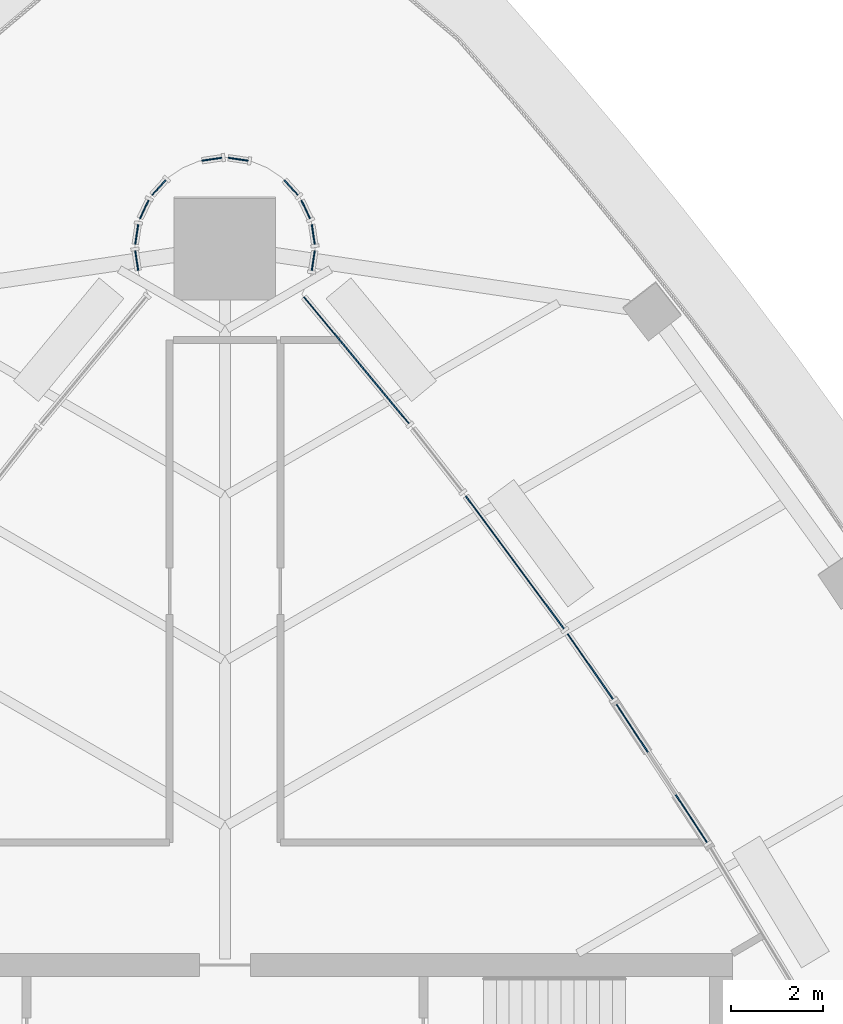
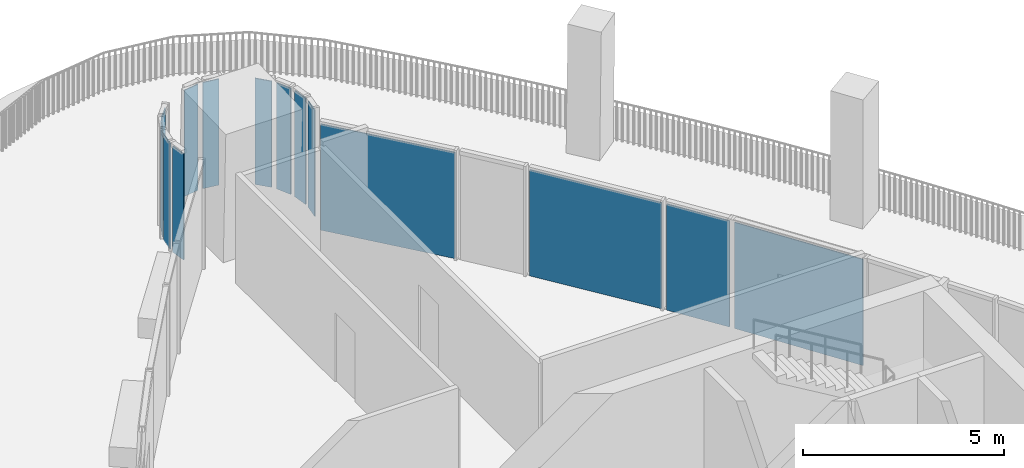
# One storey, part 9 of 18: 14 plates, 14 elements without a shape of their own.
"""IFC4 building model written with IfcOpenShell, lengths in metres."""

from ifc_helpers import new_model, si_unit, direction, frame, origin, origin_2d, place, context, subcontext, project, spatial, rectangle, extrude, material, layer, layer_set, type_object, element, aggregate, save


model = new_model("IFC4")

# Units and contexts
model_context = context("Model", 3, precision=1e-05, world=origin(), true_north=direction((0.0, 1.0)))
body_context = subcontext(model_context, "Body", "Model", "MODEL_VIEW")
ifc_project = project(units=[si_unit("LENGTHUNIT", "METRE"), si_unit("AREAUNIT", "SQUARE_METRE"), si_unit("VOLUMEUNIT", "CUBIC_METRE"), si_unit("PLANEANGLEUNIT", "RADIAN"), si_unit("MASSUNIT", "GRAM", prefix="KILO")], contexts=[model_context])

# Site, building, storey
site_placement = place(None, origin())
site = spatial("IfcSite", under=ifc_project, at=site_placement, CompositionType="ELEMENT")
building_placement = place(site_placement, origin())
building = spatial("IfcBuilding", under=site, at=building_placement, Name="Sierra Prisma Convention Tower", CompositionType="ELEMENT")
storey_placement = place(building_placement, frame((0.0, 0.0, 307.0)))
storey = spatial("IfcBuildingStorey", under=building, at=storey_placement, Name="L70", CompositionType="ELEMENT", Elevation=307.0)

# Curtain wall, plate
ifc_material_1 = material(Name="Aluminium and glass curtain wall", Category="aluminium")
ifc_layer_1 = layer(ifc_material_1, 0.179931640625)
ifc_layer_set_1 = layer_set([ifc_layer_1], Name="CW-6 Terrace recess curtain wall")
curtain_wall_type = type_object("IfcCurtainWallType", Name="CW-6 Terrace recess curtain wall", PredefinedType="NOTDEFINED", material=ifc_layer_set_1)
curtain_wall_1_placement = place(storey_placement, origin())
curtain_wall_1 = element("IfcCurtainWall", 1, at=curtain_wall_1_placement, inside=storey, type_object=curtain_wall_type, Name="CW-6 R3 L70", PredefinedType="NOTDEFINED")
ifc_material_2 = material(Name="Tinted glass bronze-grey IGU", Category="glass")
ifc_layer_2 = layer(ifc_material_2, 0.028076171875)
ifc_layer_set_2 = layer_set([ifc_layer_2], Name="CW-6 glass panel")
plate_type = type_object("IfcPlateType", Name="CW-6 glass panel", PredefinedType="CURTAIN_PANEL", material=ifc_layer_set_2)
plate_1_placement = place(storey_placement, frame((9.468017578125, 11.899658203125, 0.0), z_axis=(0.0, 0.0, 1.0), x_axis=(-0.54806497653, 0.836435760535, 0.0)))
plate_1 = element("IfcPlate", 2, at=plate_1_placement, type_object=plate_type, Name="CW-6 panel R3.1", PredefinedType="CURTAIN_PANEL", context=body_context, shape_type="SweptSolid", body=[
    extrude(rectangle(XDim=3.57666015625, YDim=0.028076171875, at=origin_2d()), origin(), (0.0, 0.0, 1.0), 3.219970703125),
])
aggregate(curtain_wall_1, [plate_1])

curtain_wall_2_placement = place(storey_placement, origin())
curtain_wall_2 = element("IfcCurtainWall", 3, at=curtain_wall_2_placement, inside=storey, type_object=curtain_wall_type, Name="CW-6 R4 L70", PredefinedType="NOTDEFINED")
plate_2_placement = place(storey_placement, frame((7.91845703125, 14.216552734375, 0.0), z_axis=(0.0, 0.0, 1.0), x_axis=(-0.571452066166, 0.820635446514, 0.0)))
plate_2 = element("IfcPlate", 4, at=plate_2_placement, type_object=plate_type, Name="CW-6 panel R4.1", PredefinedType="CURTAIN_PANEL", context=body_context, shape_type="SweptSolid", body=[
    extrude(rectangle(XDim=1.718505859375, YDim=0.028076171875, at=origin_2d()), origin(), (0.0, 0.0, 1.0), 3.219970703125),
])
aggregate(curtain_wall_2, [plate_2])

curtain_wall_3_placement = place(storey_placement, origin())
curtain_wall_3 = element("IfcCurtainWall", 5, at=curtain_wall_3_placement, inside=storey, type_object=curtain_wall_type, Name="CW-6 R5 L70", PredefinedType="NOTDEFINED")
plate_3_placement = place(storey_placement, frame((6.282958984375, 16.473388671875, 0.0), z_axis=(0.0, 0.0, 1.0), x_axis=(-0.59438393371, 0.804181409477, 0.0)))
plate_3 = element("IfcPlate", 6, at=plate_3_placement, type_object=plate_type, Name="CW-6 panel R5.1", PredefinedType="CURTAIN_PANEL", context=body_context, shape_type="SweptSolid", body=[
    extrude(rectangle(XDim=3.57666015625, YDim=0.028076171875, at=origin_2d()), origin(), (0.0, 0.0, 1.0), 3.219970703125),
])
aggregate(curtain_wall_3, [plate_3])

curtain_wall_4_placement = place(storey_placement, origin())
curtain_wall_4 = element("IfcCurtainWall", 7, at=curtain_wall_4_placement, inside=storey, type_object=curtain_wall_type, Name="CW-6 R7 L70", PredefinedType="NOTDEFINED")
plate_4_placement = place(storey_placement, frame((2.84912109375, 20.85546875, 0.0), z_axis=(0.0, 0.0, 1.0), x_axis=(-0.63878406426, 0.76938606645, 0.0)))
plate_4 = element("IfcPlate", 8, at=plate_4_placement, type_object=plate_type, Name="CW-6 panel R7.1", PredefinedType="CURTAIN_PANEL", context=body_context, shape_type="SweptSolid", body=[
    extrude(rectangle(XDim=3.563720703125, YDim=0.028076171875, at=origin_2d()), origin(), (0.0, 0.0, 1.0), 3.219970703125),
])
aggregate(curtain_wall_4, [plate_4])

curtain_wall_5_placement = place(storey_placement, origin())
curtain_wall_5 = element("IfcCurtainWall", 9, at=curtain_wall_5_placement, inside=storey, type_object=curtain_wall_type, Name="CW-6 R9 L70", PredefinedType="NOTDEFINED")
plate_5_placement = place(storey_placement, frame((1.91357421875, 23.01611328125, 0.0), z_axis=(0.0, 0.0, 1.0), x_axis=(0.146730474455, 0.989176509965, 0.0)))
plate_5 = element("IfcPlate", 10, at=plate_5_placement, type_object=plate_type, Name="CW-6 panel R9.1", PredefinedType="CURTAIN_PANEL", context=body_context, shape_type="SweptSolid", body=[
    extrude(rectangle(XDim=0.433837890625, YDim=0.028076171875, at=origin_2d()), origin(), (0.0, 0.0, 1.0), 3.219970703125),
])
aggregate(curtain_wall_5, [plate_5])

curtain_wall_6_placement = place(storey_placement, origin())
curtain_wall_6 = element("IfcCurtainWall", 11, at=curtain_wall_6_placement, inside=storey, type_object=curtain_wall_type, Name="CW-6 R10 L70", PredefinedType="NOTDEFINED")
plate_6_placement = place(storey_placement, frame((1.91357421875, 23.583740234375, 0.0), z_axis=(0.0, 0.0, 1.0), x_axis=(-0.146730474455, 0.989176509965, 0.0)))
plate_6 = element("IfcPlate", 12, at=plate_6_placement, type_object=plate_type, Name="CW-6 panel R10.1", PredefinedType="CURTAIN_PANEL", context=body_context, shape_type="SweptSolid", body=[
    extrude(rectangle(XDim=0.433837890625, YDim=0.028076171875, at=origin_2d()), origin(), (0.0, 0.0, 1.0), 3.219970703125),
])
aggregate(curtain_wall_6, [plate_6])

curtain_wall_7_placement = place(storey_placement, origin())
curtain_wall_7 = element("IfcCurtainWall", 13, at=curtain_wall_7_placement, inside=storey, type_object=curtain_wall_type, Name="CW-6 R11 L70", PredefinedType="NOTDEFINED")
plate_7_placement = place(storey_placement, frame((1.748779296875, 24.126953125, 0.0), z_axis=(0.0, 0.0, 1.0), x_axis=(-0.42755509343, 0.903989293123, 0.0)))
plate_7 = element("IfcPlate", 14, at=plate_7_placement, type_object=plate_type, Name="CW-6 panel R11.1", PredefinedType="CURTAIN_PANEL", context=body_context, shape_type="SweptSolid", body=[
    extrude(rectangle(XDim=0.433837890625, YDim=0.028076171875, at=origin_2d()), origin(), (0.0, 0.0, 1.0), 3.219970703125),
])
aggregate(curtain_wall_7, [plate_7])

curtain_wall_8_placement = place(storey_placement, origin())
curtain_wall_8 = element("IfcCurtainWall", 15, at=curtain_wall_8_placement, inside=storey, type_object=curtain_wall_type, Name="CW-6 R12 L70", PredefinedType="NOTDEFINED")
plate_8_placement = place(storey_placement, frame((1.433349609375, 24.598876953125, 0.0), z_axis=(0.0, 0.0, 1.0), x_axis=(-0.671558954847, 0.740951125355, 0.0)))
plate_8 = element("IfcPlate", 16, at=plate_8_placement, type_object=plate_type, Name="CW-6 panel R12.1", PredefinedType="CURTAIN_PANEL", context=body_context, shape_type="SweptSolid", body=[
    extrude(rectangle(XDim=0.433837890625, YDim=0.028076171875, at=origin_2d()), origin(), (0.0, 0.0, 1.0), 3.219970703125),
])
aggregate(curtain_wall_8, [plate_8])

curtain_wall_9_placement = place(storey_placement, origin())
curtain_wall_9 = element("IfcCurtainWall", 17, at=curtain_wall_9_placement, inside=storey, type_object=curtain_wall_type, Name="CW-6 R15 L70", PredefinedType="NOTDEFINED")
plate_9_placement = place(storey_placement, frame((0.283935546875, 25.21337890625, 0.0), z_axis=(0.0, 0.0, 1.0), x_axis=(-0.989176509965, 0.146730474455, 0.0)))
plate_9 = element("IfcPlate", 18, at=plate_9_placement, type_object=plate_type, Name="CW-6 panel R15.1", PredefinedType="CURTAIN_PANEL", context=body_context, shape_type="SweptSolid", body=[
    extrude(rectangle(XDim=0.433837890625, YDim=0.028076171875, at=origin_2d()), origin(), (0.0, 0.0, 1.0), 3.219970703125),
])
aggregate(curtain_wall_9, [plate_9])

curtain_wall_10_placement = place(storey_placement, origin())
curtain_wall_10 = element("IfcCurtainWall", 19, at=curtain_wall_10_placement, inside=storey, type_object=curtain_wall_type, Name="CW-6 R16 L70", PredefinedType="NOTDEFINED")
plate_10_placement = place(storey_placement, frame((-0.283935546875, 25.21337890625, 0.0), z_axis=(0.0, 0.0, 1.0), x_axis=(-0.989176509965, -0.146730474455, 0.0)))
plate_10 = element("IfcPlate", 20, at=plate_10_placement, type_object=plate_type, Name="CW-6 panel R16.1", PredefinedType="CURTAIN_PANEL", context=body_context, shape_type="SweptSolid", body=[
    extrude(rectangle(XDim=0.433837890625, YDim=0.028076171875, at=origin_2d()), origin(), (0.0, 0.0, 1.0), 3.219970703125),
])
aggregate(curtain_wall_10, [plate_10])

curtain_wall_11_placement = place(storey_placement, origin())
curtain_wall_11 = element("IfcCurtainWall", 21, at=curtain_wall_11_placement, inside=storey, type_object=curtain_wall_type, Name="CW-6 R19 L70", PredefinedType="NOTDEFINED")
plate_11_placement = place(storey_placement, frame((-1.433349609375, 24.598876953125, 0.0), z_axis=(0.0, 0.0, 1.0), x_axis=(-0.671558954847, -0.740951125355, 0.0)))
plate_11 = element("IfcPlate", 22, at=plate_11_placement, type_object=plate_type, Name="CW-6 panel R19.1", PredefinedType="CURTAIN_PANEL", context=body_context, shape_type="SweptSolid", body=[
    extrude(rectangle(XDim=0.433837890625, YDim=0.028076171875, at=origin_2d()), origin(), (0.0, 0.0, 1.0), 3.219970703125),
])
aggregate(curtain_wall_11, [plate_11])

curtain_wall_12_placement = place(storey_placement, origin())
curtain_wall_12 = element("IfcCurtainWall", 23, at=curtain_wall_12_placement, inside=storey, type_object=curtain_wall_type, Name="CW-6 R20 L70", PredefinedType="NOTDEFINED")
plate_12_placement = place(storey_placement, frame((-1.748779296875, 24.126953125, 0.0), z_axis=(0.0, 0.0, 1.0), x_axis=(-0.42755509343, -0.903989293123, 0.0)))
plate_12 = element("IfcPlate", 24, at=plate_12_placement, type_object=plate_type, Name="CW-6 panel R20.1", PredefinedType="CURTAIN_PANEL", context=body_context, shape_type="SweptSolid", body=[
    extrude(rectangle(XDim=0.433837890625, YDim=0.028076171875, at=origin_2d()), origin(), (0.0, 0.0, 1.0), 3.219970703125),
])
aggregate(curtain_wall_12, [plate_12])

curtain_wall_13_placement = place(storey_placement, origin())
curtain_wall_13 = element("IfcCurtainWall", 25, at=curtain_wall_13_placement, inside=storey, type_object=curtain_wall_type, Name="CW-6 R21 L70", PredefinedType="NOTDEFINED")
plate_13_placement = place(storey_placement, frame((-1.91357421875, 23.583740234375, 0.0), z_axis=(0.0, 0.0, 1.0), x_axis=(-0.146730474455, -0.989176509965, 0.0)))
plate_13 = element("IfcPlate", 26, at=plate_13_placement, type_object=plate_type, Name="CW-6 panel R21.1", PredefinedType="CURTAIN_PANEL", context=body_context, shape_type="SweptSolid", body=[
    extrude(rectangle(XDim=0.433837890625, YDim=0.028076171875, at=origin_2d()), origin(), (0.0, 0.0, 1.0), 3.219970703125),
])
aggregate(curtain_wall_13, [plate_13])

curtain_wall_14_placement = place(storey_placement, origin())
curtain_wall_14 = element("IfcCurtainWall", 27, at=curtain_wall_14_placement, inside=storey, type_object=curtain_wall_type, Name="CW-6 R22 L70", PredefinedType="NOTDEFINED")
plate_14_placement = place(storey_placement, frame((-1.91357421875, 23.01611328125, 0.0), z_axis=(0.0, 0.0, 1.0), x_axis=(0.146730474455, -0.989176509965, 0.0)))
plate_14 = element("IfcPlate", 28, at=plate_14_placement, type_object=plate_type, Name="CW-6 panel R22.1", PredefinedType="CURTAIN_PANEL", context=body_context, shape_type="SweptSolid", body=[
    extrude(rectangle(XDim=0.433837890625, YDim=0.028076171875, at=origin_2d()), origin(), (0.0, 0.0, 1.0), 3.219970703125),
])
aggregate(curtain_wall_14, [plate_14])

save(model, "model.ifc")
